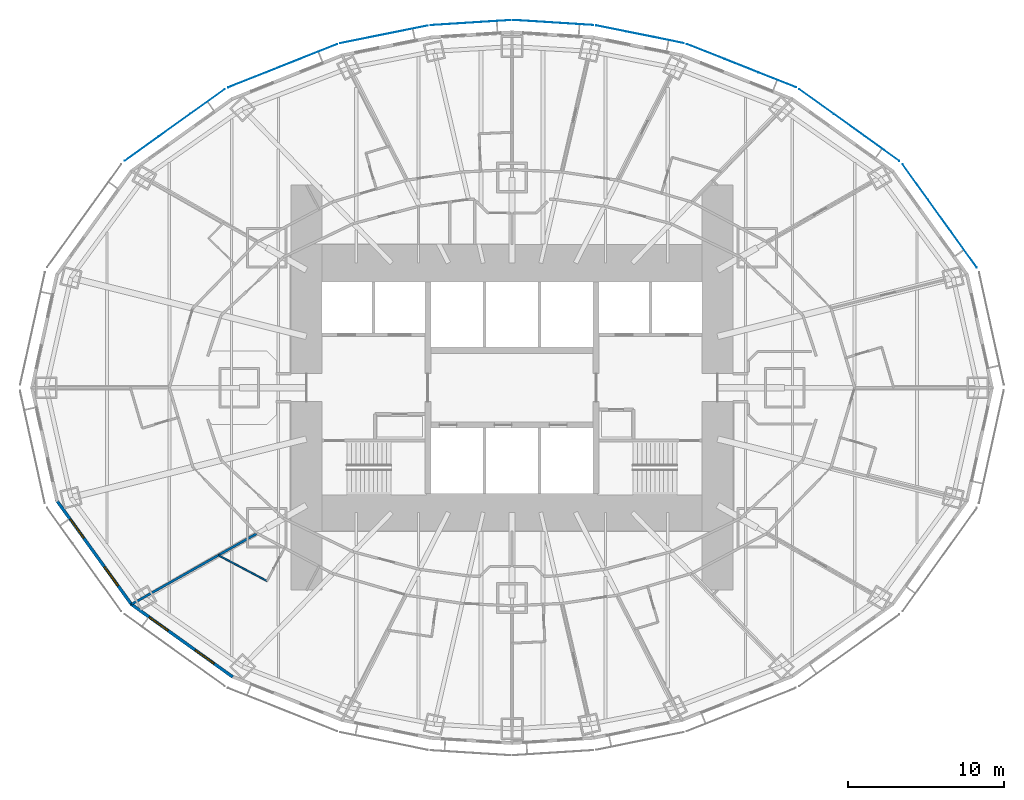
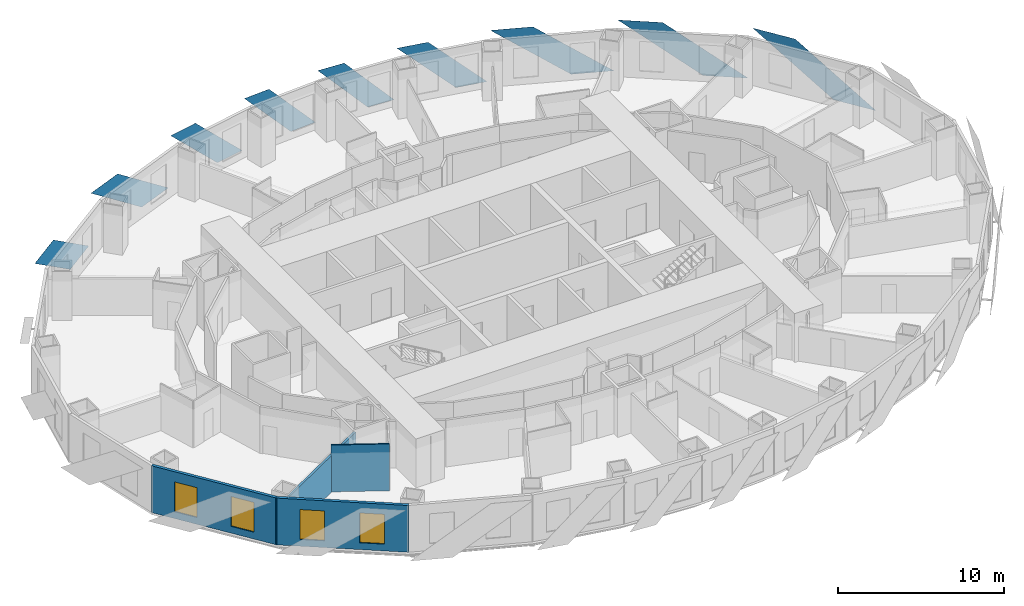
# One storey, part 4 of 15: 9 plates, 4 walls, 4 windows, 4 openings.
"""IFC4 building model written with IfcOpenShell, lengths in metres."""

from ifc_helpers import new_model, si_unit, direction, frame, frame_2d, origin, place, context, subcontext, project, spatial, polyline, rectangle, outline, extrude, material, layer, layer_set, type_object, element, fill, save


model = new_model("IFC4")

# Units and contexts
model_context = context("Model", 3, precision=1e-05, world=origin(), true_north=direction((0.0, 1.0)))
body_context = subcontext(model_context, "Body", "Model", "MODEL_VIEW")
ifc_project = project(units=[si_unit("LENGTHUNIT", "METRE"), si_unit("AREAUNIT", "SQUARE_METRE"), si_unit("VOLUMEUNIT", "CUBIC_METRE"), si_unit("PLANEANGLEUNIT", "RADIAN"), si_unit("MASSUNIT", "GRAM", prefix="KILO")], contexts=[model_context])

# Site, building, storey
site_placement = place(None, origin())
site = spatial("IfcSite", under=ifc_project, at=site_placement, CompositionType="ELEMENT")
building_placement = place(site_placement, origin())
building = spatial("IfcBuilding", under=site, at=building_placement, Name="Lantaw Convention Tower", CompositionType="ELEMENT")
storey_placement = place(building_placement, frame((0.0, 0.0, 76.60009765625)))
storey = spatial("IfcBuildingStorey", under=building, at=storey_placement, Name="L17", CompositionType="ELEMENT", Elevation=76.60009765625)

# Plates
ifc_material_1 = material(Name="Perforated aluminium sheet, pale silver finish", Category="aluminium")
ifc_layer_1 = layer(ifc_material_1, 0.006103515625)
ifc_layer_set_1 = layer_set([ifc_layer_1], Name="Perforated aluminium solar SCREEN panel")
plate_type = type_object("IfcPlateType", Name="Perforated aluminium solar SCREEN panel", PredefinedType="SHEET", material=ifc_layer_set_1)
plate_1_placement = place(storey_placement, frame((29.847900390625, 7.720947265625, -0.175048828125), z_axis=(0.811791382613, 0.583947558463, 9.019268e-06), x_axis=(-0.583947558486, 0.811791382646, 0.0)))
element("IfcPlate", 1, at=plate_1_placement, inside=storey, type_object=plate_type, Name="Solar SCREEN panel", PredefinedType="SHEET", context=body_context, shape_type="SweptSolid", body=[
    extrude(outline(polyline([(0.0, 0.0), (2.809541672291133, 0.0), (8.163093158837512, 3.739990234527119), (5.353551486546379, 3.739990234527119), (0.0, 0.0)])), origin(), (0.0, 0.0, -1.0), 0.006103515625),
])
plate_2_placement = place(storey_placement, frame((24.872314453125, 14.555908203125, -0.175048828125), z_axis=(0.582561421998, 0.812786681331, 1.5819417e-05), x_axis=(-0.812786681433, 0.582561422071, 0.0)))
element("IfcPlate", 2, at=plate_2_placement, inside=storey, type_object=plate_type, Name="Solar SCREEN panel", PredefinedType="SHEET", context=body_context, shape_type="SweptSolid", body=[
    extrude(outline(polyline([(0.0, 0.0), (2.721095180812288, 3.3881317890172014e-21), (7.903118572410756, 3.739990234842974), (5.182023391598468, 3.739990234842974), (0.0, 0.0)])), origin(), (0.0, 0.0, -1.0), 0.006103515625),
])
plate_3_placement = place(storey_placement, frame((18.232177734375, 19.278076171875, -0.175048828125), z_axis=(-0.369183532846, -0.929356508016, 9.163296e-06), x_axis=(-0.929356508055, 0.369183532862, 0.0)))
element("IfcPlate", 3, at=plate_3_placement, inside=storey, type_object=plate_type, Name="Solar SCREEN panel", PredefinedType="SHEET", context=body_context, shape_type="SweptSolid", body=[
    extrude(outline(polyline([(0.0, 0.0), (2.594936467166582, -1.6940658945086007e-21), (7.5321069917580825, -3.739990234532016), (4.937170524591499, -3.739990234532016), (0.0, 0.0)])), origin(), (0.0, 0.0, -1.0), 0.006103515625),
])
plate_4_placement = place(storey_placement, frame((11.03271484375, 22.117919921875, -0.175048828125), z_axis=(-0.197781876197, -0.980246055561, 2.418535e-06), x_axis=(-0.980246055563, 0.197781876198, 1.46e-10)))
element("IfcPlate", 4, at=plate_4_placement, inside=storey, type_object=plate_type, Name="Solar SCREEN panel", PredefinedType="SHEET", context=body_context, shape_type="SweptSolid", body=[
    extrude(outline(polyline([(0.0, 0.0), (1.9867801772236329, -3.1763735522036263e-22), (5.743587245978565, -3.7399902335493134), (3.7568553553458006, -3.739990234128105), (0.0, 0.0)])), origin(), (0.0, 0.0, -1.0), 0.006103515625),
])
plate_5_placement = place(storey_placement, frame((5.221923828125, 23.27783203125, -0.175048828125), z_axis=(-0.062923905251, -0.998018327468, 1.3605496e-05), x_axis=(-0.998018327561, 0.062923905257, 9.3e-10)))
element("IfcPlate", 5, at=plate_5_placement, inside=storey, type_object=plate_type, Name="Solar SCREEN panel", PredefinedType="SHEET", context=body_context, shape_type="SweptSolid", body=[
    extrude(outline(polyline([(0.0, 0.0), (1.7828375409377817, -2.117582368135751e-22), (5.143985963027618, -3.739990229938699), (3.3611637843713935, -3.7399902332537565), (0.0, 0.0)])), origin(), (0.0, 0.0, -1.0), 0.006103515625),
])
plate_6_placement = place(storey_placement, frame((-0.088134765625, 23.6015625, -0.175048828125), z_axis=(-0.062923905251, 0.998018327468, 1.3605496e-05), x_axis=(-0.998018327561, -0.062923905257, -9.3e-10)))
element("IfcPlate", 6, at=plate_6_placement, inside=storey, type_object=plate_type, Name="Solar SCREEN panel", PredefinedType="SHEET", context=body_context, shape_type="SweptSolid", body=[
    extrude(outline(polyline([(0.0, 0.0), (1.782822178656225, -2.117582368135751e-22), (5.143985956073316, 3.7399902395036517), (3.3611484151355353, 3.7399902361885653), (0.0, 0.0)])), origin(), (0.0, 0.0, -1.0), 0.006103515625),
])
plate_7_placement = place(storey_placement, frame((-5.402587890625, 23.25390625, -0.175048828125), z_axis=(-0.197781876197, 0.980246055561, 2.418535e-06), x_axis=(-0.980246055563, -0.197781876198, -1.46e-10)))
element("IfcPlate", 7, at=plate_7_placement, inside=storey, type_object=plate_type, Name="Solar SCREEN panel", PredefinedType="SHEET", context=body_context, shape_type="SweptSolid", body=[
    extrude(outline(polyline([(0.0, 0.0), (1.9867318906327642, 1.0587911840678754e-22), (5.743587244888999, 3.7399902352225842), (3.7568070676653664, 3.7399902346437783), (0.0, 0.0)])), origin(), (0.0, 0.0, -1.0), 0.006103515625),
])
plate_8_placement = place(storey_placement, frame((-11.232177734375, 22.058837890625, -0.175048828125), z_axis=(-0.369183532846, 0.929356508016, 9.163296e-06), x_axis=(-0.929356508055, -0.369183532862, 0.0)))
element("IfcPlate", 8, at=plate_8_placement, inside=storey, type_object=plate_type, Name="Solar SCREEN panel", PredefinedType="SHEET", context=body_context, shape_type="SweptSolid", body=[
    extrude(outline(polyline([(0.0, 0.0), (2.594936467166582, 1.6940658945086007e-21), (7.5321069917580825, 3.739990234532016), (4.937170524591499, 3.739990234532016), (0.0, 0.0)])), origin(), (0.0, 0.0, -1.0), 0.006103515625),
])
plate_9_placement = place(storey_placement, frame((-18.44873046875, 19.159912109375, -0.175048828125), z_axis=(0.582561421998, -0.812786681331, 1.5819417e-05), x_axis=(-0.812786681433, -0.582561422071, 0.0)))
element("IfcPlate", 9, at=plate_9_placement, inside=storey, type_object=plate_type, Name="Solar SCREEN panel", PredefinedType="SHEET", context=body_context, shape_type="SweptSolid", body=[
    extrude(outline(polyline([(0.0, 0.0), (2.721095180812288, -3.3881317890172014e-21), (7.903118572410756, -3.739990234842974), (5.182023391598468, -3.739990234842974), (0.0, 0.0)])), origin(), (0.0, 0.0, -1.0), 0.006103515625),
])

# Wall
ifc_material_2 = material(Name="Moisture resistant gypsum board on steel studs", Category="steel")
ifc_layer_2 = layer(ifc_material_2, 0.10009765625)
ifc_layer_set_2 = layer_set([ifc_layer_2], Name="Bathroom wall 100")
wall_type_1 = type_object("IfcWallType", Name="Bathroom wall 100", PredefinedType="PARTITIONING", material=ifc_layer_set_2)
wall_1_placement = place(storey_placement, frame((-15.727294921875, -12.4111328125, 0.0), z_axis=(0.0, 0.0, 1.0), x_axis=(-0.88335195308, 0.468710280439, 0.0)))
element("IfcWall", 10, at=wall_1_placement, inside=storey, type_object=wall_type_1, Name="Bathroom wall 100", PredefinedType="PARTITIONING", context=body_context, shape_type="SweptSolid", body=[
    extrude(rectangle(XDim=3.517578125, YDim=0.10009765625, at=frame_2d((1.7587890625, 0.0))), origin(), (0.0, 0.0, 1.0), 3.449951171875),
])

# Wall, openings, windows
ifc_material_3 = material(Name="Insulated aluminium panel on steel frame", Category="steel")
ifc_layer_3 = layer(ifc_material_3, 0.199951171875)
ifc_layer_set_3 = layer_set([ifc_layer_3], Name="External wall 200")
wall_type_2 = type_object("IfcWallType", Name="External wall 200", PredefinedType="SOLIDWALL", material=ifc_layer_set_3)
wall_2_placement = place(storey_placement, frame((-29.260498046875, -7.199951171875, 0.0), z_axis=(0.0, 0.0, 1.0), x_axis=(0.583937613703, -0.811798536155, 0.0)))
wall_2 = element("IfcWall", 11, at=wall_2_placement, inside=storey, type_object=wall_type_2, Name="Facade panel wall", PredefinedType="SOLIDWALL", context=body_context, shape_type="SweptSolid", body=[
    extrude(rectangle(XDim=8.322998046875, YDim=0.199951171875, at=frame_2d((4.16162109375, 0.0))), origin(), (0.0, 0.0, 1.0), 3.449951171875),
])
opening_1_placement = place(wall_2_placement, frame((1.53076171875, 0.0, 0.5)))
opening_1 = element("IfcOpeningElement", 12, at=opening_1_placement, cuts=wall_2, Name="Opening W2", PredefinedType="OPENING", context=body_context, shape_type="SweptSolid", body=[
    extrude(rectangle(XDim=1.5, YDim=2.199951171875, at=frame_2d((0.75, 1.10009765625))), frame((0.0, 0.10986328125, 0.0), z_axis=(0.0, -1.0, 0.0), x_axis=(1.0, 0.0, 0.0)), (0.0, 0.0, 1.0), 0.219970703125),
])
opening_2_placement = place(wall_2_placement, frame((5.292236328125, 0.0, 0.5)))
opening_2 = element("IfcOpeningElement", 13, at=opening_2_placement, cuts=wall_2, Name="Opening W2", PredefinedType="OPENING", context=body_context, shape_type="SweptSolid", body=[
    extrude(rectangle(XDim=1.5, YDim=2.199951171875, at=frame_2d((0.75, 1.10009765625))), frame((0.0, 0.10986328125, 0.0), z_axis=(0.0, -1.0, 0.0), x_axis=(1.0, 0.0, 0.0)), (0.0, 0.0, 1.0), 0.219970703125),
])
ifc_material_4 = material(Name="Aluminium frame, clear insulating glass", Category="aluminium")
window_type = type_object("IfcWindowType", Name="Suite window 1500x2200", PartitioningType="SINGLE_PANEL", PredefinedType="WINDOW", material=ifc_material_4)
window_1_placement = place(opening_1_placement, origin())
window_1 = element("IfcWindow", 14, at=window_1_placement, inside=storey, type_object=window_type, Name="Guest room window", OverallHeight=2.199951171875, OverallWidth=1.5, PartitioningType="SINGLE_PANEL", PredefinedType="WINDOW", context=body_context, shape_type="SweptSolid", body=[
    extrude(rectangle(XDim=1.5, YDim=2.199951171875, at=frame_2d((0.75, 1.10009765625))), frame((0.0, 0.030029296875, 0.0), z_axis=(0.0, -1.0, 0.0), x_axis=(1.0, 0.0, 0.0)), (0.0, 0.0, 1.0), 0.06005859375),
])
fill(opening_1, window_1)
window_2_placement = place(opening_2_placement, origin())
window_2 = element("IfcWindow", 15, at=window_2_placement, inside=storey, type_object=window_type, Name="Guest room window", OverallHeight=2.199951171875, OverallWidth=1.5, PartitioningType="SINGLE_PANEL", PredefinedType="WINDOW", context=body_context, shape_type="SweptSolid", body=[
    extrude(rectangle(XDim=1.5, YDim=2.199951171875, at=frame_2d((0.75, 1.10009765625))), frame((0.0, 0.030029296875, 0.0), z_axis=(0.0, -1.0, 0.0), x_axis=(1.0, 0.0, 0.0)), (0.0, 0.0, 1.0), 0.06005859375),
])
fill(opening_2, window_2)

wall_3_placement = place(storey_placement, frame((-24.482421875, -13.87451171875, 0.0), z_axis=(0.0, 0.0, 1.0), x_axis=(0.812791321576, -0.582554948112, 0.0)))
wall_3 = element("IfcWall", 16, at=wall_3_placement, inside=storey, type_object=wall_type_2, Name="Facade panel wall", PredefinedType="SOLIDWALL", context=body_context, shape_type="SweptSolid", body=[
    extrude(rectangle(XDim=8.063232421875, YDim=0.199951171875, at=frame_2d((4.03173828125, 0.0))), origin(), (0.0, 0.0, 1.0), 3.449951171875),
])
opening_3_placement = place(wall_3_placement, frame((1.4658203125, 0.0, 0.5)))
opening_3 = element("IfcOpeningElement", 17, at=opening_3_placement, cuts=wall_3, Name="Opening W2", PredefinedType="OPENING", context=body_context, shape_type="SweptSolid", body=[
    extrude(rectangle(XDim=1.5, YDim=2.199951171875, at=frame_2d((0.75, 1.10009765625))), frame((0.0, 0.10986328125, 0.0), z_axis=(0.0, -1.0, 0.0), x_axis=(1.0, 0.0, 0.0)), (0.0, 0.0, 1.0), 0.219970703125),
])
opening_4_placement = place(wall_3_placement, frame((5.097412109375, 0.0, 0.5)))
opening_4 = element("IfcOpeningElement", 18, at=opening_4_placement, cuts=wall_3, Name="Opening W2", PredefinedType="OPENING", context=body_context, shape_type="SweptSolid", body=[
    extrude(rectangle(XDim=1.5, YDim=2.199951171875, at=frame_2d((0.75, 1.10009765625))), frame((0.0, 0.10986328125, 0.0), z_axis=(0.0, -1.0, 0.0), x_axis=(1.0, 0.0, 0.0)), (0.0, 0.0, 1.0), 0.219970703125),
])
window_3_placement = place(opening_3_placement, origin())
window_3 = element("IfcWindow", 19, at=window_3_placement, inside=storey, type_object=window_type, Name="Guest room window", OverallHeight=2.199951171875, OverallWidth=1.5, PartitioningType="SINGLE_PANEL", PredefinedType="WINDOW", context=body_context, shape_type="SweptSolid", body=[
    extrude(rectangle(XDim=1.5, YDim=2.199951171875, at=frame_2d((0.75, 1.10009765625))), frame((0.0, 0.030029296875, 0.0), z_axis=(0.0, -1.0, 0.0), x_axis=(1.0, 0.0, 0.0)), (0.0, 0.0, 1.0), 0.06005859375),
])
fill(opening_3, window_3)
window_4_placement = place(opening_4_placement, origin())
window_4 = element("IfcWindow", 20, at=window_4_placement, inside=storey, type_object=window_type, Name="Guest room window", OverallHeight=2.199951171875, OverallWidth=1.5, PartitioningType="SINGLE_PANEL", PredefinedType="WINDOW", context=body_context, shape_type="SweptSolid", body=[
    extrude(rectangle(XDim=1.5, YDim=2.199951171875, at=frame_2d((0.75, 1.10009765625))), frame((0.0, 0.030029296875, 0.0), z_axis=(0.0, -1.0, 0.0), x_axis=(1.0, 0.0, 0.0)), (0.0, 0.0, 1.0), 0.06005859375),
])
fill(opening_4, window_4)

# Wall
ifc_material_5 = material(Name="Gypsum board on steel studs, acoustic", Category="steel")
ifc_layer_4 = layer(ifc_material_5, 0.14990234375)
ifc_layer_set_4 = layer_set([ifc_layer_4], Name="Guest room party wall 150")
wall_type_3 = type_object("IfcWallType", Name="Guest room party wall 150", PredefinedType="PARTITIONING", material=ifc_layer_set_4)
wall_4_placement = place(storey_placement, frame((-24.434814453125, -13.90869140625, 0.0), z_axis=(0.0, 0.0, 1.0), x_axis=(0.870744406136, 0.491735883563, 0.0)))
element("IfcWall", 21, at=wall_4_placement, inside=storey, type_object=wall_type_3, Name="Guest room party wall 150", PredefinedType="PARTITIONING", context=body_context, shape_type="SweptSolid", body=[
    extrude(rectangle(XDim=9.262939453125, YDim=0.14990234375, at=frame_2d((4.63134765625, 0.0))), origin(), (0.0, 0.0, 1.0), 2.69287109375),
])

save(model, "model.ifc")
